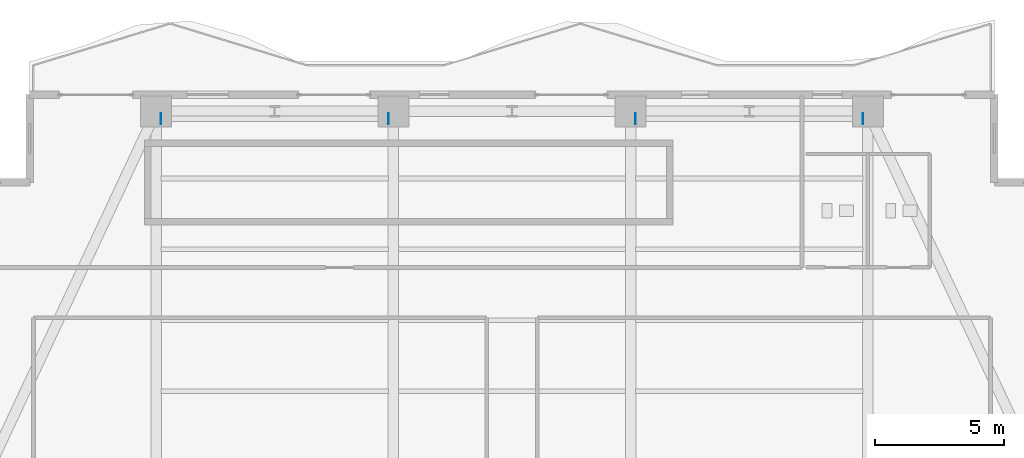
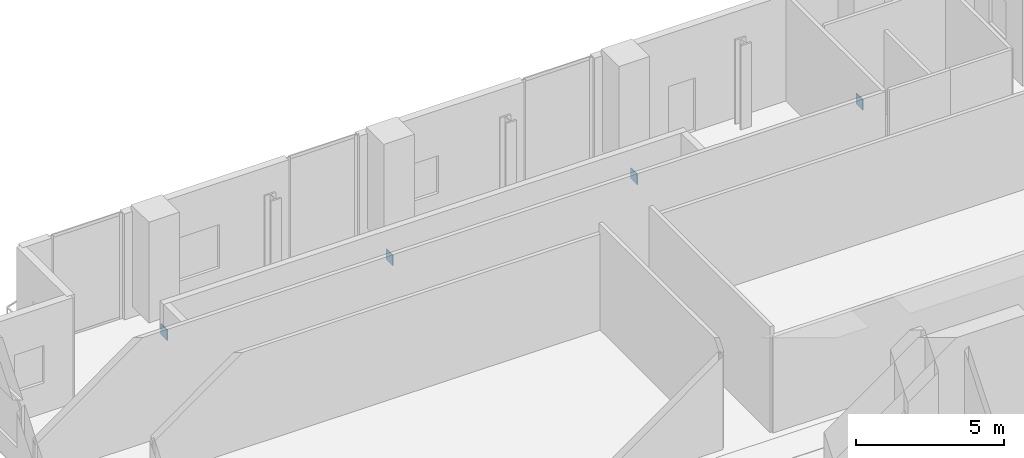
# One storey, part 25 of 33: 4 plates.
"""IFC4 building model written with IfcOpenShell, lengths in metres."""

from ifc_helpers import new_model, si_unit, direction, frame, origin, origin_2d, place, context, subcontext, project, spatial, rectangle, extrude, material, layer, layer_set, type_object, element, save


model = new_model("IFC4")

# Units and contexts
model_context = context("Model", 3, precision=1e-05, world=origin(), true_north=direction((0.0, 1.0)))
body_context = subcontext(model_context, "Body", "Model", "MODEL_VIEW")
ifc_project = project(units=[si_unit("LENGTHUNIT", "METRE"), si_unit("AREAUNIT", "SQUARE_METRE"), si_unit("VOLUMEUNIT", "CUBIC_METRE"), si_unit("PLANEANGLEUNIT", "RADIAN"), si_unit("MASSUNIT", "GRAM", prefix="KILO")], contexts=[model_context])

# Site, building, storey
site_placement = place(None, origin())
site = spatial("IfcSite", under=ifc_project, at=site_placement, CompositionType="ELEMENT")
building_placement = place(site_placement, origin())
building = spatial("IfcBuilding", under=site, at=building_placement, Name="Zuhayl Quay Hotel", CompositionType="ELEMENT")
storey_placement = place(building_placement, frame((0.0, 0.0, 168.199951171875)))
storey = spatial("IfcBuildingStorey", under=building, at=storey_placement, Name="L42", CompositionType="ELEMENT", Elevation=168.199951171875)

# Plates
ifc_material = material(Name="Steel ASTM A572 Grade 50", Category="steel")
ifc_layer = layer(ifc_material, 0.030029296875, Name="Steel ASTM A572 Grade 50", Category="steel")
ifc_layer_set = layer_set([ifc_layer], Name="Steel ASTM A572 Grade 50")
plate_type = type_object("IfcPlateType", Name="TP_CAP_PLATE_30", PredefinedType="USERDEFINED", material=ifc_layer_set)
for number, where, z_axis, x_axis, name in (
    (1, (-13.612060546875, 32.669921875, -0.6298828125), (0.0, 0.0, 1.0), (-1.0, 0.0, 0.0), "Truss Node Cap Assembly KN2"),
    (2, (-4.7880859375, 32.669921875, -0.6298828125), (0.0, 0.0, 1.0), (1.0, 0.0, 0.0), "Truss Node Cap Assembly KN2"),
    (3, (4.7880859375, 32.669921875, -0.6298828125), (0.0, 0.0, 1.0), (-1.0, 0.0, 0.0), "Truss Node Cap Assembly KN2"),
    (4, (13.612060546875, 32.669921875, -0.6298828125), (0.0, 0.0, 1.0), (1.0, 0.0, 0.0), "Truss Node Cap Assembly KN2"),
):
    element("IfcPlate", number, at=place(storey_placement, frame(where, z_axis=z_axis, x_axis=x_axis)), inside=storey, type_object=plate_type, Name=name, ObjectType="GUSSET PLATE", PredefinedType="USERDEFINED", context=body_context, shape_type="SweptSolid", body=[
        extrude(rectangle(XDim=0.030029296875, YDim=0.43994140625, at=origin_2d()), origin(), (0.0, 0.0, 1.0), 0.43994140625),
    ])

save(model, "model.ifc")
